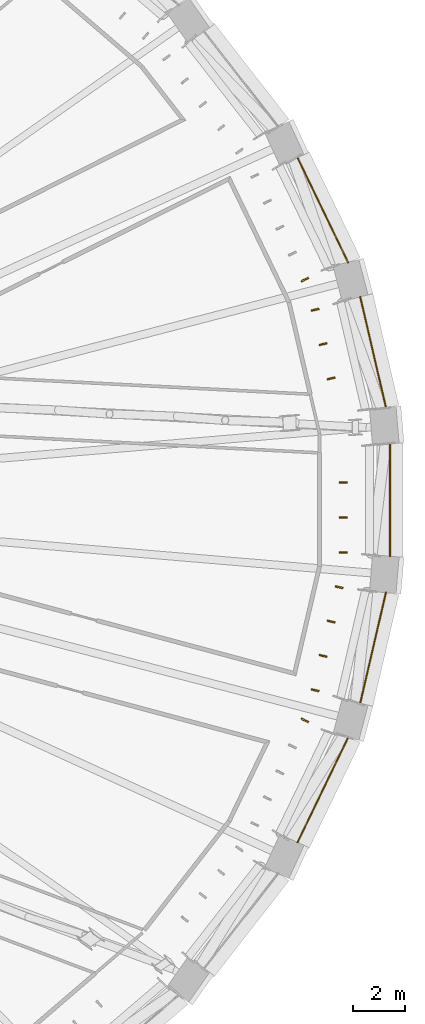
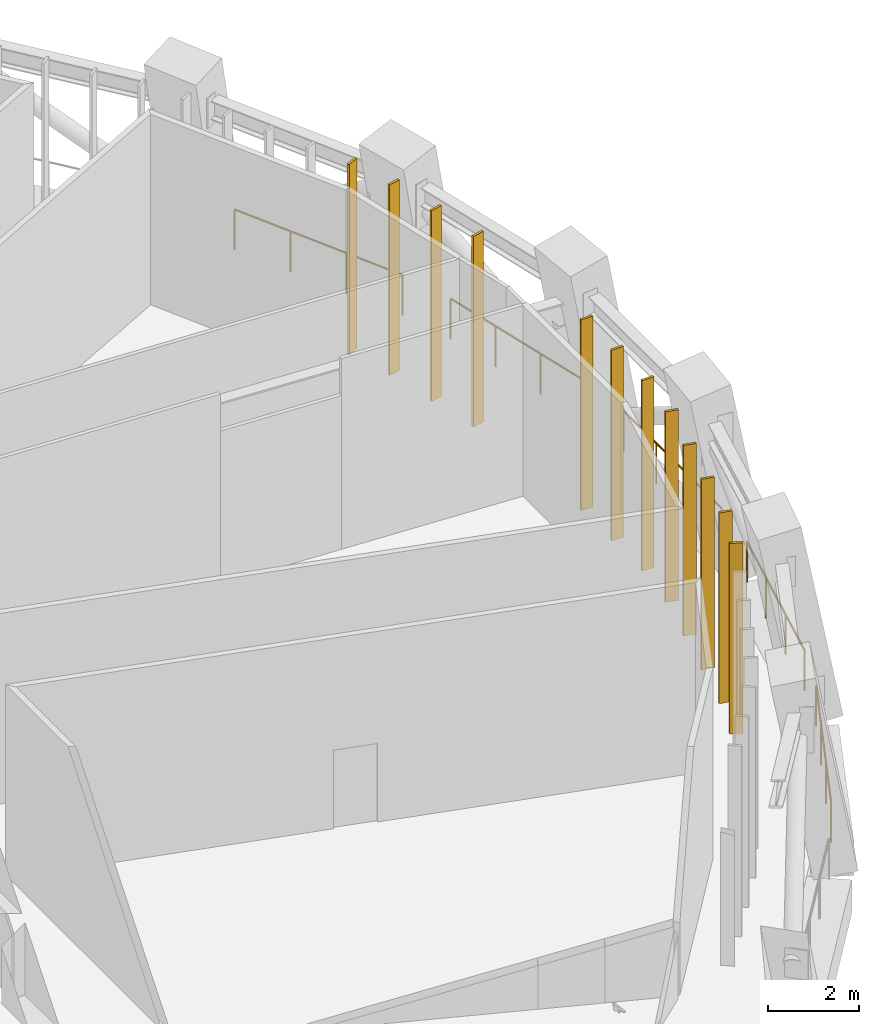
# One storey, part 20 of 21: 12 shading devices, 5 railings.
"""IFC4 building model written with IfcOpenShell, lengths in metres."""

from ifc_helpers import new_model, si_unit, direction, frame, origin, origin_2d, place, context, subcontext, project, spatial, rectangle, circle, extrude, material, material_profile, profile_set, type_object, element, save


model = new_model("IFC4")

# Units and contexts
model_context = context("Model", 3, precision=1e-05, world=origin(), true_north=direction((0.0, 1.0)))
body_context = subcontext(model_context, "Body", "Model", "MODEL_VIEW")
ifc_project = project(units=[si_unit("LENGTHUNIT", "METRE"), si_unit("AREAUNIT", "SQUARE_METRE"), si_unit("VOLUMEUNIT", "CUBIC_METRE"), si_unit("PLANEANGLEUNIT", "RADIAN"), si_unit("MASSUNIT", "GRAM", prefix="KILO")], contexts=[model_context])

# Site, building, storey
site_placement = place(None, origin())
site = spatial("IfcSite", under=ifc_project, at=site_placement, CompositionType="ELEMENT")
building_placement = place(site_placement, origin())
building = spatial("IfcBuilding", under=site, at=building_placement, Name="Halqa Exchange Tower", CompositionType="ELEMENT")
storey_placement = place(building_placement, frame((0.0, 0.0, 173.5)))
storey = spatial("IfcBuildingStorey", under=building, at=storey_placement, Name="L39", CompositionType="ELEMENT", Elevation=173.5)

# Shading devices
ifc_material_1 = material(Name="Anodised aluminium", Category="aluminium")
ifc_material_profile = material_profile(ifc_material_1, rectangle(XDim=0.300048828125, YDim=0.06005859375, at=origin_2d()), Name="AL FIN 300x60")
ifc_profile_set = profile_set([ifc_material_profile], Name="Anodised aluminium")
shading_device_type = type_object("IfcShadingDeviceType", Name="Aluminium louvre FIN 300 x 60", PredefinedType="USERDEFINED", material=ifc_profile_set)
for number, where, z_axis, x_axis, name in (
    (1, (31.505859375, 4.642822265625, 0.0), (0.0, 0.0, 1.0), (-0.974111871643, -0.226066498012, 0.0), "Louvre FIN 1.2"),
    (2, (31.201171875, 5.955078125, 0.0), (0.0, 0.0, 1.0), (-0.974111871643, -0.226066498012, 0.0), "Louvre FIN 1.3"),
    (3, (30.896728515625, 7.267333984375, 0.0), (0.0, 0.0, 1.0), (-0.974111871643, -0.226066498012, 0.0), "Louvre FIN 1.4"),
    (4, (30.5048828125, 8.4189453125, 0.0), (0.0, 0.0, 1.0), (-0.900378013542, -0.43510852983, 0.0), "Louvre FIN 2.1"),
    (5, (30.5048828125, -8.4189453125, 0.0), (0.0, 0.0, 1.0), (-0.900378013542, 0.43510852983, 0.0), "Louvre FIN 30.5"),
    (6, (30.896728515625, -7.267333984375, 0.0), (0.0, 0.0, 1.0), (-0.974111871643, 0.226066498012, 0.0), "Louvre FIN 31.1"),
    (7, (31.201171875, -5.955078125, 0.0), (0.0, 0.0, 1.0), (-0.974111871643, 0.226066498012, 0.0), "Louvre FIN 31.2"),
    (8, (31.505859375, -4.642822265625, 0.0), (0.0, 0.0, 1.0), (-0.974111871643, 0.226066498012, 0.0), "Louvre FIN 31.3"),
    (9, (31.810302734375, -3.330322265625, 0.0), (0.0, 0.0, 1.0), (-0.974111871643, 0.226066498012, 0.0), "Louvre FIN 31.4"),
    (10, (31.962646484375, -2.005615234375, 0.0), (0.0, 0.0, 1.0), (-1.0, 0.0, 0.0), "Louvre FIN 32.1"),
    (11, (31.962646484375, -0.668701171875, 0.0), (0.0, 0.0, 1.0), (-1.0, 0.0, 0.0), "Louvre FIN 32.2"),
    (12, (31.962646484375, 0.668701171875, 0.0), (0.0, 0.0, 1.0), (-1.0, 0.0, 0.0), "Louvre FIN 32.3"),
):
    element("IfcShadingDevice", number, at=place(storey_placement, frame(where, z_axis=z_axis, x_axis=x_axis)), inside=storey, type_object=shading_device_type, Name=name, ObjectType="FIN", PredefinedType="USERDEFINED", context=body_context, shape_type="SweptSolid", body=[
        extrude(rectangle(XDim=0.300048828125, YDim=0.06005859375, at=origin_2d()), origin(), (0.0, 0.0, 1.0), 5.10009765625),
    ])

# Railings
ifc_material_2 = material(Name="Stainless steel", Category="steel")
railing_type = type_object("IfcRailingType", Name="Guard 1100 stainless steel", PredefinedType="GUARDRAIL", material=ifc_material_2)
railing_1_placement = place(storey_placement, frame((33.599609375, 3.53173828125, 0.0)))
element("IfcRailing", 13, at=railing_1_placement, inside=storey, type_object=railing_type, Name="Band edge guard 1", PredefinedType="GUARDRAIL", context=body_context, shape_type="SweptSolid", body=[
    extrude(circle(Radius=0.02392578125, at=origin_2d()), frame((0.0, 0.0, 1.076171875), z_axis=(-0.226083943623, 0.974107822798, 0.0), x_axis=(-0.974107822798, -0.226083943623, 0.0)), (0.0, 0.0, 1.0), 4.3388671875),
    extrude(circle(Radius=0.02099609375, at=origin_2d()), origin(), (0.0, 0.0, 1.0), 1.052001953125),
    extrude(circle(Radius=0.02099609375, at=origin_2d()), frame((-0.326904296875, 1.408935546875, 0.0)), (0.0, 0.0, 1.0), 1.052001953125),
    extrude(circle(Radius=0.02099609375, at=origin_2d()), frame((-0.654052734375, 2.817626953125, 0.0)), (0.0, 0.0, 1.0), 1.052001953125),
    extrude(circle(Radius=0.02099609375, at=origin_2d()), frame((-0.98095703125, 4.2265625, 0.0)), (0.0, 0.0, 1.0), 1.052001953125),
])
railing_2_placement = place(storey_placement, frame((32.156005859375, 9.0703125, 0.0)))
element("IfcRailing", 14, at=railing_2_placement, inside=storey, type_object=railing_type, Name="Band edge guard 2", PredefinedType="GUARDRAIL", context=body_context, shape_type="SweptSolid", body=[
    extrude(circle(Radius=0.02392578125, at=origin_2d()), frame((0.0, 0.0, 1.076171875), z_axis=(-0.435143450916, 0.900361137058, 0.0), x_axis=(-0.900361137058, -0.435143450916, 0.0)), (0.0, 0.0, 1.0), 4.44873046875),
    extrude(circle(Radius=0.02099609375, at=origin_2d()), origin(), (0.0, 0.0, 1.0), 1.052001953125),
    extrude(circle(Radius=0.02099609375, at=origin_2d()), frame((-0.645263671875, 1.335205078125, 0.0)), (0.0, 0.0, 1.0), 1.052001953125),
    extrude(circle(Radius=0.02099609375, at=origin_2d()), frame((-1.29052734375, 2.670166015625, 0.0)), (0.0, 0.0, 1.0), 1.052001953125),
    extrude(circle(Radius=0.02099609375, at=origin_2d()), frame((-1.935791015625, 4.00537109375, 0.0)), (0.0, 0.0, 1.0), 1.052001953125),
])
railing_3_placement = place(storey_placement, frame((30.22021484375, -13.07568359375, 0.0)))
element("IfcRailing", 15, at=railing_3_placement, inside=storey, type_object=railing_type, Name="Band edge guard 30", PredefinedType="GUARDRAIL", context=body_context, shape_type="SweptSolid", body=[
    extrude(circle(Radius=0.02392578125, at=origin_2d()), frame((0.0, 0.0, 1.076171875), z_axis=(0.435143450916, 0.900361137058, 0.0), x_axis=(-0.900361137058, 0.435143450916, 0.0)), (0.0, 0.0, 1.0), 4.44873046875),
    extrude(circle(Radius=0.02099609375, at=origin_2d()), origin(), (0.0, 0.0, 1.0), 1.052001953125),
    extrude(circle(Radius=0.02099609375, at=origin_2d()), frame((0.645263671875, 1.335205078125, 0.0)), (0.0, 0.0, 1.0), 1.052001953125),
    extrude(circle(Radius=0.02099609375, at=origin_2d()), frame((1.29052734375, 2.670166015625, 0.0)), (0.0, 0.0, 1.0), 1.052001953125),
    extrude(circle(Radius=0.02099609375, at=origin_2d()), frame((1.935791015625, 4.00537109375, 0.0)), (0.0, 0.0, 1.0), 1.052001953125),
])
railing_4_placement = place(storey_placement, frame((32.61865234375, -7.75830078125, 0.0)))
element("IfcRailing", 16, at=railing_4_placement, inside=storey, type_object=railing_type, Name="Band edge guard 31", PredefinedType="GUARDRAIL", context=body_context, shape_type="SweptSolid", body=[
    extrude(circle(Radius=0.02392578125, at=origin_2d()), frame((0.0, 0.0, 1.076171875), z_axis=(0.226083943623, 0.974107822798, 0.0), x_axis=(-0.974107822798, 0.226083943623, 0.0)), (0.0, 0.0, 1.0), 4.3388671875),
    extrude(circle(Radius=0.02099609375, at=origin_2d()), origin(), (0.0, 0.0, 1.0), 1.052001953125),
    extrude(circle(Radius=0.02099609375, at=origin_2d()), frame((0.326904296875, 1.408935546875, 0.0)), (0.0, 0.0, 1.0), 1.052001953125),
    extrude(circle(Radius=0.02099609375, at=origin_2d()), frame((0.654052734375, 2.817626953125, 0.0)), (0.0, 0.0, 1.0), 1.052001953125),
    extrude(circle(Radius=0.02099609375, at=origin_2d()), frame((0.98095703125, 4.2265625, 0.0)), (0.0, 0.0, 1.0), 1.052001953125),
])
railing_5_placement = place(storey_placement, frame((33.7578125, -2.14990234375, 0.0)))
element("IfcRailing", 17, at=railing_5_placement, inside=storey, type_object=railing_type, Name="Band edge guard 32", PredefinedType="GUARDRAIL", context=body_context, shape_type="SweptSolid", body=[
    extrude(circle(Radius=0.02392578125, at=origin_2d()), frame((0.0, 0.0, 1.076171875), z_axis=(0.0, 1.0, 0.0), x_axis=(-1.0, 0.0, 0.0)), (0.0, 0.0, 1.0), 4.2998046875),
    extrude(circle(Radius=0.02099609375, at=origin_2d()), origin(), (0.0, 0.0, 1.0), 1.052001953125),
    extrude(circle(Radius=0.02099609375, at=origin_2d()), frame((0.0, 1.433349609375, 0.0)), (0.0, 0.0, 1.0), 1.052001953125),
    extrude(circle(Radius=0.02099609375, at=origin_2d()), frame((0.0, 2.866455078125, 0.0)), (0.0, 0.0, 1.0), 1.052001953125),
    extrude(circle(Radius=0.02099609375, at=origin_2d()), frame((0.0, 4.2998046875, 0.0)), (0.0, 0.0, 1.0), 1.052001953125),
])

save(model, "model.ifc")
